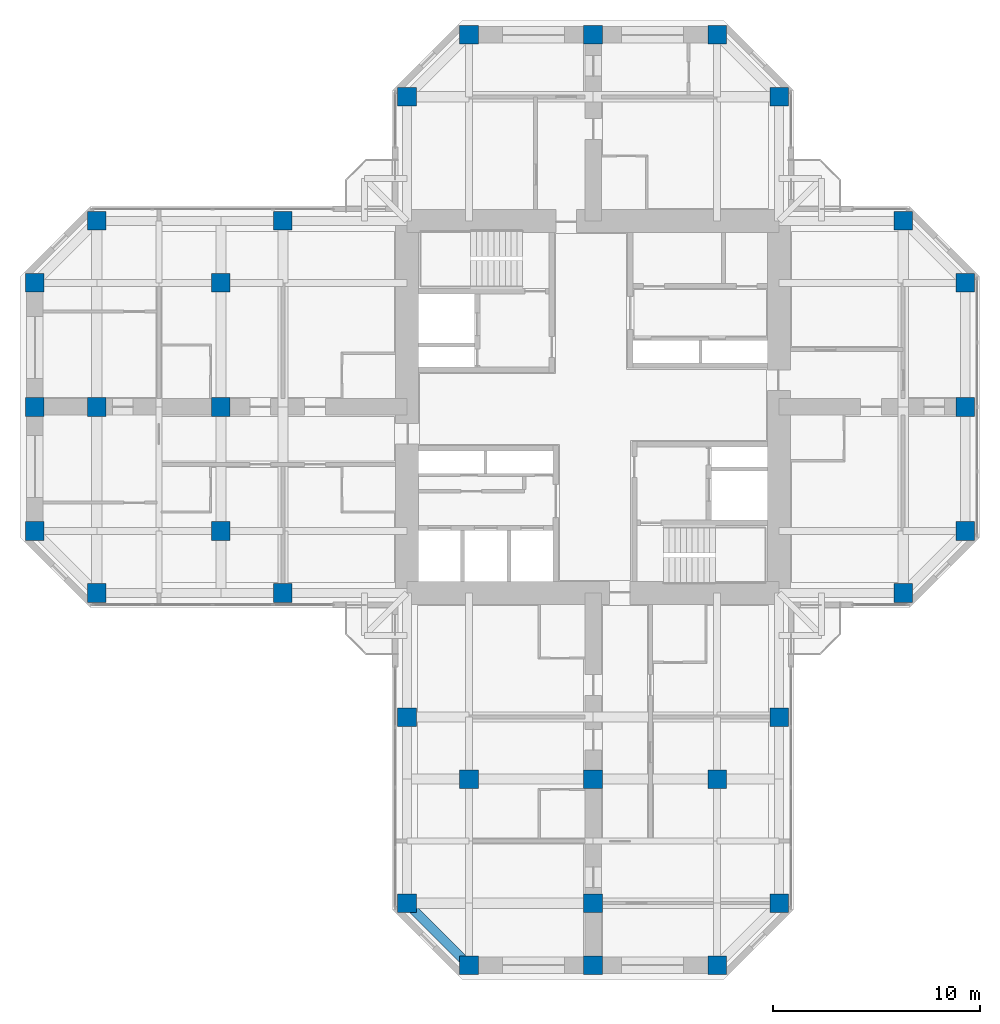
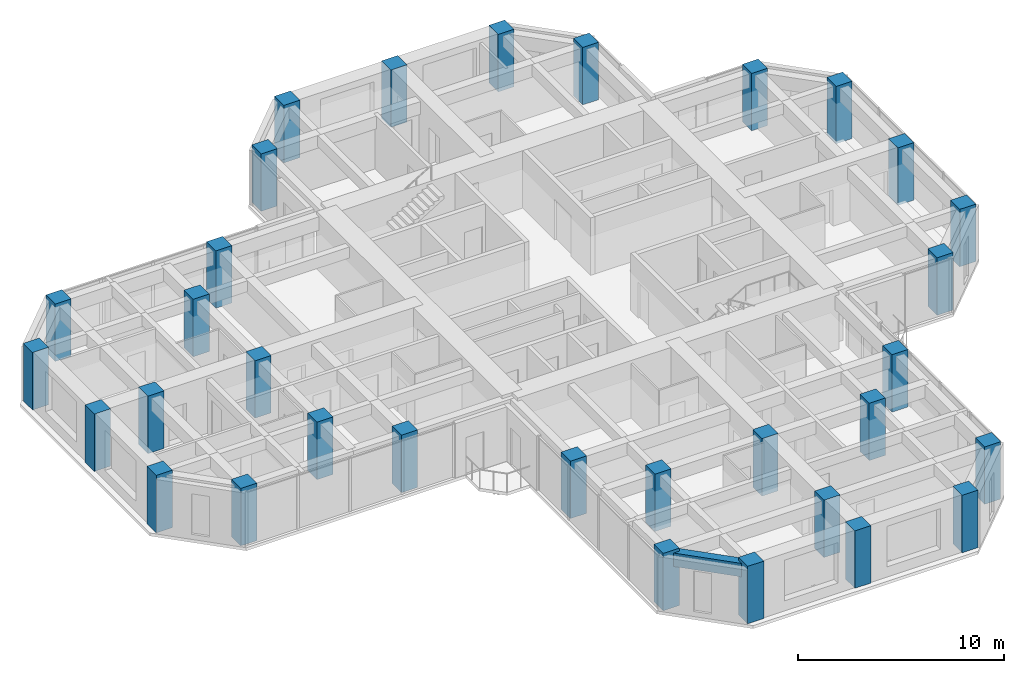
# One storey, part 1 of 13: 32 columns, 1 beam.
"""IFC4 building model written with IfcOpenShell, lengths in metres."""

from ifc_helpers import new_model, si_unit, direction, frame, origin, origin_2d, place, context, subcontext, project, spatial, rectangle, extrude, material, material_profile, profile_set, type_object, element, save


model = new_model("IFC4")

# Units and contexts
model_context = context("Model", 3, precision=1e-05, world=origin(), true_north=direction((0.0, 1.0)))
body_context = subcontext(model_context, "Body", "Model", "MODEL_VIEW")
ifc_project = project(units=[si_unit("LENGTHUNIT", "METRE"), si_unit("AREAUNIT", "SQUARE_METRE"), si_unit("VOLUMEUNIT", "CUBIC_METRE"), si_unit("PLANEANGLEUNIT", "RADIAN"), si_unit("MASSUNIT", "GRAM", prefix="KILO")], contexts=[model_context])

# Site, building, storey
site_placement = place(None, origin())
site = spatial("IfcSite", under=ifc_project, at=site_placement, CompositionType="ELEMENT")
building_placement = place(site_placement, origin())
building = spatial("IfcBuilding", under=site, at=building_placement, Name="Torre Cruceta", CompositionType="ELEMENT")
storey_placement = place(building_placement, frame((0.0, 0.0, 189.89990234375)))
storey = spatial("IfcBuildingStorey", under=building, at=storey_placement, Name="L47", CompositionType="ELEMENT", Elevation=189.89990234375)

# Columns
ifc_material_1 = material(Name="Concrete G60 (fck 60 MPa)", Category="concrete")
ifc_material_profile_1 = material_profile(ifc_material_1, rectangle(XDim=0.89990234375, YDim=0.89990234375, at=origin_2d()), Name="RC 900X900")
ifc_profile_set_1 = profile_set([ifc_material_profile_1], Name="Concrete G60 (fck 60 MPa)")
column_type = type_object("IfcColumnType", Name="COLUMN RC 900X900", PredefinedType="COLUMN", material=ifc_profile_set_1)
for number, where, z_axis, x_axis, name in (
    (1, (9.0, 15.0, 0.0), (0.0, 0.0, 1.0), (1.0, 0.0, 0.0), "C6 L47 N chamfer"),
    (2, (-9.0, 15.0, 0.0), (0.0, 0.0, 1.0), (1.0, 0.0, 0.0), "C6 L47 N chamfer"),
    (3, (6.0, 18.0, 0.0), (0.0, 0.0, 1.0), (1.0, 0.0, 0.0), "C6 L47 N tip"),
    (4, (0.0, 18.0, 0.0), (0.0, 0.0, 1.0), (1.0, 0.0, 0.0), "C6 L47 N tip"),
    (5, (-6.0, 18.0, 0.0), (0.0, 0.0, 1.0), (1.0, 0.0, 0.0), "C6 L47 N tip"),
    (6, (15.0, -9.0, 0.0), (0.0, 0.0, 1.0), (1.0, 0.0, 0.0), "C6 L47 E chamfer"),
    (7, (15.0, 9.0, 0.0), (0.0, 0.0, 1.0), (1.0, 0.0, 0.0), "C6 L47 E chamfer"),
    (8, (18.0, -6.0, 0.0), (0.0, 0.0, 1.0), (1.0, 0.0, 0.0), "C6 L47 E tip"),
    (9, (18.0, 0.0, 0.0), (0.0, 0.0, 1.0), (1.0, 0.0, 0.0), "C6 L47 E tip"),
    (10, (18.0, 6.0, 0.0), (0.0, 0.0, 1.0), (1.0, 0.0, 0.0), "C6 L47 E tip"),
    (11, (-9.0, -15.0, 0.0), (0.0, 0.0, 1.0), (1.0, 0.0, 0.0), "C6 L47 S side"),
    (12, (-9.0, -24.0, 0.0), (0.0, 0.0, 1.0), (1.0, 0.0, 0.0), "C6 L47 S chamfer"),
    (13, (9.0, -15.0, 0.0), (0.0, 0.0, 1.0), (1.0, 0.0, 0.0), "C6 L47 S side"),
    (14, (9.0, -24.0, 0.0), (0.0, 0.0, 1.0), (1.0, 0.0, 0.0), "C6 L47 S chamfer"),
    (15, (-6.0, -27.0, 0.0), (0.0, 0.0, 1.0), (1.0, 0.0, 0.0), "C6 L47 S tip"),
    (16, (0.0, -27.0, 0.0), (0.0, 0.0, 1.0), (1.0, 0.0, 0.0), "C6 L47 S tip"),
    (17, (6.0, -27.0, 0.0), (0.0, 0.0, 1.0), (1.0, 0.0, 0.0), "C6 L47 S tip"),
    (18, (-15.0, 9.0, 0.0), (0.0, 0.0, 1.0), (1.0, 0.0, 0.0), "C6 L47 W side"),
    (19, (-24.0, 9.0, 0.0), (0.0, 0.0, 1.0), (1.0, 0.0, 0.0), "C6 L47 W chamfer"),
    (20, (-15.0, -9.0, 0.0), (0.0, 0.0, 1.0), (1.0, 0.0, 0.0), "C6 L47 W side"),
    (21, (-24.0, -9.0, 0.0), (0.0, 0.0, 1.0), (1.0, 0.0, 0.0), "C6 L47 W chamfer"),
    (22, (-27.0, 6.0, 0.0), (0.0, 0.0, 1.0), (1.0, 0.0, 0.0), "C6 L47 W tip"),
    (23, (-27.0, 0.0, 0.0), (0.0, 0.0, 1.0), (1.0, 0.0, 0.0), "C6 L47 W tip"),
    (24, (-27.0, -6.0, 0.0), (0.0, 0.0, 1.0), (1.0, 0.0, 0.0), "C6 L47 W tip"),
    (25, (-6.0, -18.0, 0.0), (0.0, 0.0, 1.0), (1.0, 0.0, 0.0), "C6 L47 S interior"),
    (26, (0.0, -18.0, 0.0), (0.0, 0.0, 1.0), (1.0, 0.0, 0.0), "C6 L47 S interior"),
    (27, (6.0, -18.0, 0.0), (0.0, 0.0, 1.0), (1.0, 0.0, 0.0), "C6 L47 S interior"),
    (28, (0.0, -24.0, 0.0), (0.0, 0.0, 1.0), (1.0, 0.0, 0.0), "C6 L47 S interior"),
    (29, (-18.0, 6.0, 0.0), (0.0, 0.0, 1.0), (1.0, 0.0, 0.0), "C6 L47 W interior"),
    (30, (-18.0, 0.0, 0.0), (0.0, 0.0, 1.0), (1.0, 0.0, 0.0), "C6 L47 W interior"),
    (31, (-18.0, -6.0, 0.0), (0.0, 0.0, 1.0), (1.0, 0.0, 0.0), "C6 L47 W interior"),
    (32, (-24.0, 0.0, 0.0), (0.0, 0.0, 1.0), (1.0, 0.0, 0.0), "C6 L47 W interior"),
):
    element("IfcColumn", number, at=place(storey_placement, frame(where, z_axis=z_axis, x_axis=x_axis)), inside=storey, type_object=column_type, Name=name, PredefinedType="COLUMN", context=body_context, shape_type="SweptSolid", body=[
        extrude(rectangle(XDim=0.89990234375, YDim=0.89990234375, at=origin_2d()), origin(), (0.0, 0.0, 1.0), 3.400146484375),
    ])

# Beam
ifc_material_2 = material(Name="Concrete G60 (fck 60 MPa)", Category="concrete")
ifc_material_profile_2 = material_profile(ifc_material_2, rectangle(XDim=0.449951171875, YDim=0.800048828125, at=origin_2d()), Name="RC 450X800")
ifc_profile_set_2 = profile_set([ifc_material_profile_2], Name="Concrete G60 (fck 60 MPa)")
beam_type = type_object("IfcBeamType", Name="SPANDREL BEAM RC 450X800", PredefinedType="SPANDREL", material=ifc_profile_set_2)
beam_placement = place(storey_placement, frame((-9.0, -24.0, 2.820068359375), z_axis=(0.707106781187, -0.707106781187, 0.0), x_axis=(0.707106781187, 0.707106781187, 0.0)))
element("IfcBeam", 33, at=beam_placement, inside=storey, type_object=beam_type, Name="SB6 L47 S side- 5", PredefinedType="SPANDREL", context=body_context, shape_type="SweptSolid", body=[
    extrude(rectangle(XDim=0.449951171875, YDim=0.800048828125, at=origin_2d()), origin(), (0.0, 0.0, 1.0), 4.24267578125),
])

save(model, "model.ifc")
